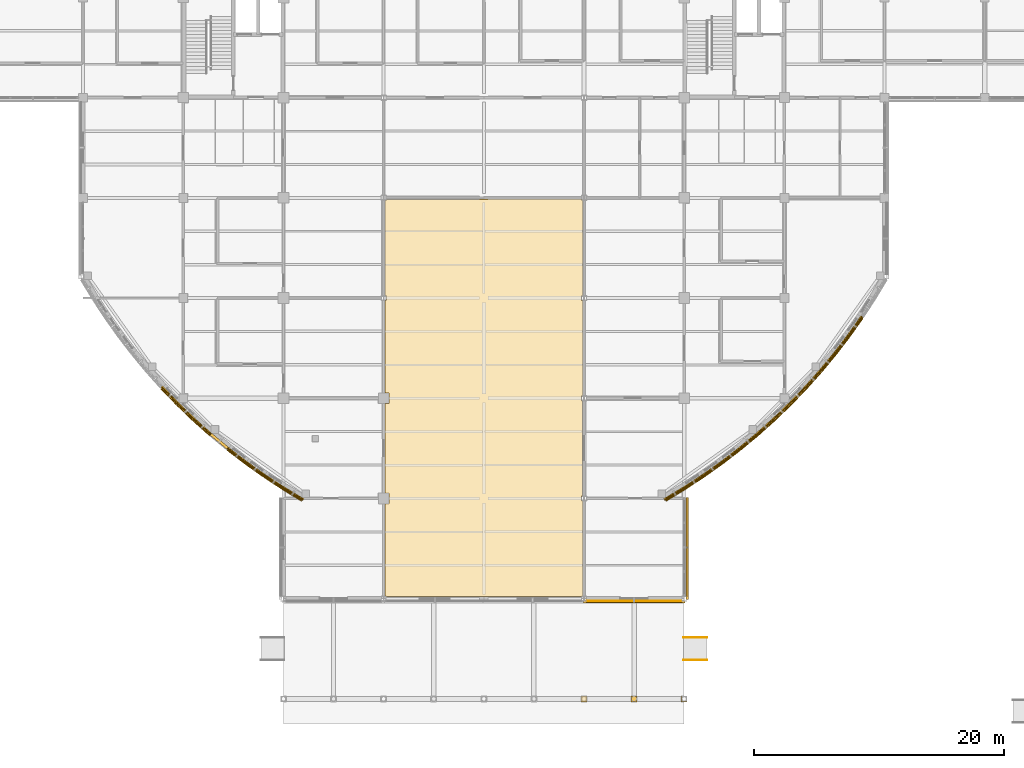
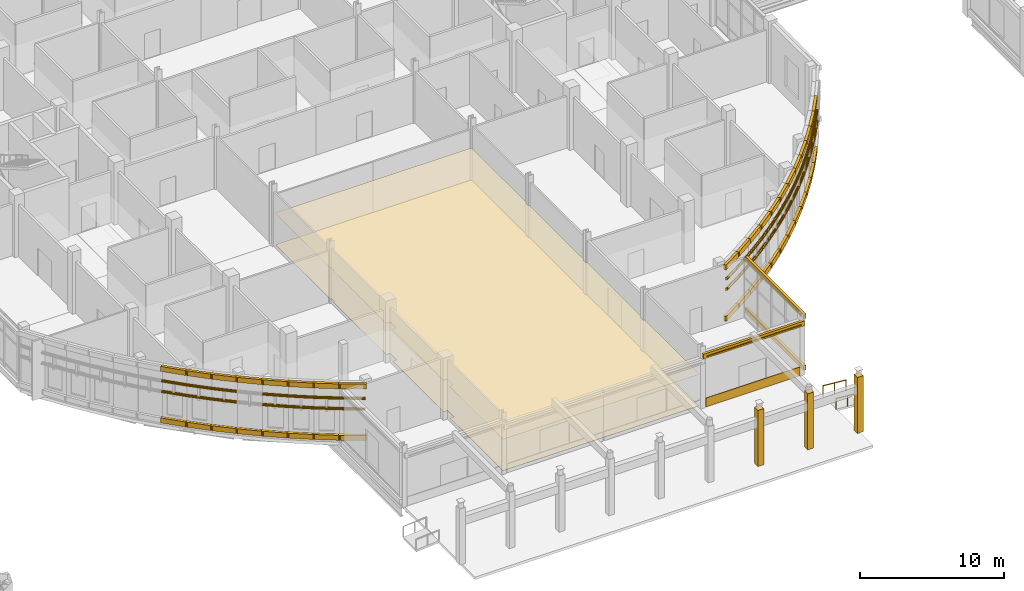
# One storey, part 96 of 105: 49 coverings, 40 shading devices, 2 railings.
"""IFC4 building model written with IfcOpenShell, lengths in metres."""

from ifc_helpers import new_model, si_unit, derived_unit, direction, frame, origin, origin_2d, place, context, subcontext, project, spatial, polyline, rectangle, circle, outline, extrude, material, layer, layer_set, material_profile, profile_set, type_object, element, save


model = new_model("IFC4")

# Units and contexts
model_context = context("Model", 3, precision=1e-05, world=origin(), true_north=direction((0.0, 1.0)))
body_context = subcontext(model_context, "Body", "Model", "MODEL_VIEW")
ifc_project = project(units=[si_unit("LENGTHUNIT", "METRE"), si_unit("AREAUNIT", "SQUARE_METRE"), si_unit("VOLUMEUNIT", "CUBIC_METRE"), si_unit("PLANEANGLEUNIT", "RADIAN"), si_unit("MASSUNIT", "GRAM", prefix="KILO"), derived_unit("THERMALTRANSMITTANCEUNIT", [(si_unit("MASSUNIT", "GRAM", prefix="KILO"), 1), (si_unit("TIMEUNIT", "SECOND"), -3), (si_unit("THERMODYNAMICTEMPERATUREUNIT", "KELVIN"), -1)])], contexts=[model_context])

# Site, building, storey
site_placement = place(None, origin())
site = spatial("IfcSite", under=ifc_project, at=site_placement, CompositionType="ELEMENT")
building_placement = place(site_placement, origin())
building = spatial("IfcBuilding", under=site, at=building_placement, Name="Veyamyaing Civic Hall", CompositionType="ELEMENT")
storey_placement = place(building_placement, origin())
storey = spatial("IfcBuildingStorey", under=building, at=storey_placement, Name="L00", CompositionType="ELEMENT", Elevation=0.0)

# Coverings
ifc_material_1 = material(Name="Buff sandstone ashlar cladding", Category="masonry")
ifc_layer_1 = layer(ifc_material_1, 0.050048828125, Name="Buff sandstone ashlar cladding")
ifc_layer_set_1 = layer_set([ifc_layer_1], Name="Buff sandstone ashlar cladding")
covering_type_1 = type_object("IfcCoveringType", Name="CL-01", PredefinedType="CLADDING", material=ifc_layer_set_1)
covering_1_placement = place(storey_placement, frame((100.0, 7.826416015625, 0.044921875), z_axis=(0.0, 0.0, 1.0), x_axis=(1.0, 0.0, 0.0)))
element("IfcCovering", 1, at=covering_1_placement, inside=storey, type_object=covering_type_1, Name="Facade spandrel cladding CL-01 L00 S 13.2", PredefinedType="CLADDING", context=body_context, shape_type="SweptSolid", body=[
    extrude(rectangle(XDim=7.552001953125, YDim=0.050048828125, at=origin_2d()), origin(), (0.0, 0.0, 1.0), 0.75),
])
ifc_material_2 = material(Name="White powder-coated aluminium 6063-T6", Category="aluminium")
ifc_layer_2 = layer(ifc_material_2, 0.2099609375, Name="White powder-coated aluminium 6063-T6")
ifc_layer_set_2 = layer_set([ifc_layer_2], Name="White powder-coated aluminium 6063-T6")
covering_type_2 = type_object("IfcCoveringType", Name="CL-03", PredefinedType="CLADDING", material=ifc_layer_set_2)
for number, where, z_axis, x_axis, name in (
    (2, (62.94775390625, 24.218994140625, 0.27001953125), (0.0, 0.0, 1.0), (0.693760978012, -0.720205321688, 0.0), "Continuous white corner ribbon CL-03 L00 SW.7.1"),
    (3, (62.94775390625, 24.218994140625, 4.64501953125), (0.0, 0.0, 1.0), (0.693760978012, -0.720205321688, 0.0), "Continuous white corner ribbon CL-03 L00 SW.7.2"),
    (4, (64.218994140625, 22.94775390625, 0.27001953125), (0.0, 0.0, 1.0), (0.720205321688, -0.693760978012, 0.0), "Continuous white corner ribbon CL-03 L00 SW.8.1"),
    (5, (64.218994140625, 22.94775390625, 4.64501953125), (0.0, 0.0, 1.0), (0.720205321688, -0.693760978012, 0.0), "Continuous white corner ribbon CL-03 L00 SW.8.2"),
    (6, (65.536865234375, 21.72509765625, 0.27001953125), (0.0, 0.0, 1.0), (0.745642208225, -0.666346529453, 0.0), "Continuous white corner ribbon CL-03 L00 SW.9.1"),
    (7, (65.536865234375, 21.72509765625, 4.64501953125), (0.0, 0.0, 1.0), (0.745642208225, -0.666346529453, 0.0), "Continuous white corner ribbon CL-03 L00 SW.9.2"),
    (8, (66.8994140625, 20.55224609375, 0.27001953125), (0.0, 0.0, 1.0), (0.770036026853, -0.638000405445, 0.0), "Continuous white corner ribbon CL-03 L00 SW.10.1"),
    (9, (66.8994140625, 20.55224609375, 4.64501953125), (0.0, 0.0, 1.0), (0.770036026853, -0.638000405445, 0.0), "Continuous white corner ribbon CL-03 L00 SW.10.2"),
    (10, (68.30517578125, 19.431396484375, 0.27001953125), (0.0, 0.0, 1.0), (0.793353292936, -0.608761490723, 0.0), "Continuous white corner ribbon CL-03 L00 SW.11.1"),
    (11, (68.30517578125, 19.431396484375, 4.64501953125), (0.0, 0.0, 1.0), (0.793353292936, -0.608761490723, 0.0), "Continuous white corner ribbon CL-03 L00 SW.11.2"),
    (12, (69.751708984375, 18.364013671875, 0.27001953125), (0.0, 0.0, 1.0), (0.815560964241, -0.578671161892, 0.0), "Continuous white corner ribbon CL-03 L00 SW.12.1"),
    (13, (69.751708984375, 18.364013671875, 4.64501953125), (0.0, 0.0, 1.0), (0.815560964241, -0.578671161892, 0.0), "Continuous white corner ribbon CL-03 L00 SW.12.2"),
    (14, (71.23681640625, 17.351318359375, 0.27001953125), (0.0, 0.0, 1.0), (0.836627843942, -0.547771714075, 0.0), "Continuous white corner ribbon CL-03 L00 SW.13.1"),
    (15, (71.23681640625, 17.351318359375, 4.64501953125), (0.0, 0.0, 1.0), (0.836627843942, -0.547771714075, 0.0), "Continuous white corner ribbon CL-03 L00 SW.13.2"),
    (16, (72.75927734375, 16.394775390625, 0.27001953125), (0.0, 0.0, 1.0), (0.856524411006, -0.516106513571, 0.0), "Continuous white corner ribbon CL-03 L00 SW.14.1"),
    (17, (72.75927734375, 16.394775390625, 4.64501953125), (0.0, 0.0, 1.0), (0.856524411006, -0.516106513571, 0.0), "Continuous white corner ribbon CL-03 L00 SW.14.2"),
    (18, (103.24072265625, 16.394775390625, 0.27001953125), (0.0, 0.0, 1.0), (0.856524411006, 0.516106513571, 0.0), "Continuous white corner ribbon CL-03 L00 SE.1.1"),
    (19, (103.24072265625, 16.394775390625, 4.64501953125), (0.0, 0.0, 1.0), (0.856524411006, 0.516106513571, 0.0), "Continuous white corner ribbon CL-03 L00 SE.1.2"),
    (20, (104.76318359375, 17.351318359375, 0.27001953125), (0.0, 0.0, 1.0), (0.836627843942, 0.547771714075, 0.0), "Continuous white corner ribbon CL-03 L00 SE.2.1"),
    (21, (104.76318359375, 17.351318359375, 4.64501953125), (0.0, 0.0, 1.0), (0.836627843942, 0.547771714075, 0.0), "Continuous white corner ribbon CL-03 L00 SE.2.2"),
    (22, (106.248291015625, 18.364013671875, 0.27001953125), (0.0, 0.0, 1.0), (0.815560964241, 0.578671161892, 0.0), "Continuous white corner ribbon CL-03 L00 SE.3.1"),
    (23, (106.248291015625, 18.364013671875, 4.64501953125), (0.0, 0.0, 1.0), (0.815560964241, 0.578671161892, 0.0), "Continuous white corner ribbon CL-03 L00 SE.3.2"),
    (24, (107.69482421875, 19.431396484375, 0.27001953125), (0.0, 0.0, 1.0), (0.793353292936, 0.608761490723, 0.0), "Continuous white corner ribbon CL-03 L00 SE.4.1"),
    (25, (107.69482421875, 19.431396484375, 4.64501953125), (0.0, 0.0, 1.0), (0.793353292936, 0.608761490723, 0.0), "Continuous white corner ribbon CL-03 L00 SE.4.2"),
    (26, (109.1005859375, 20.55224609375, 0.27001953125), (0.0, 0.0, 1.0), (0.770036026853, 0.638000405445, 0.0), "Continuous white corner ribbon CL-03 L00 SE.5.1"),
    (27, (109.1005859375, 20.55224609375, 4.64501953125), (0.0, 0.0, 1.0), (0.770036026853, 0.638000405445, 0.0), "Continuous white corner ribbon CL-03 L00 SE.5.2"),
    (28, (110.463134765625, 21.72509765625, 0.27001953125), (0.0, 0.0, 1.0), (0.745642208225, 0.666346529453, 0.0), "Continuous white corner ribbon CL-03 L00 SE.6.1"),
    (29, (110.463134765625, 21.72509765625, 4.64501953125), (0.0, 0.0, 1.0), (0.745642208225, 0.666346529453, 0.0), "Continuous white corner ribbon CL-03 L00 SE.6.2"),
    (30, (111.781005859375, 22.94775390625, 0.27001953125), (0.0, 0.0, 1.0), (0.720205321688, 0.693760978012, 0.0), "Continuous white corner ribbon CL-03 L00 SE.7.1"),
    (31, (111.781005859375, 22.94775390625, 4.64501953125), (0.0, 0.0, 1.0), (0.720205321688, 0.693760978012, 0.0), "Continuous white corner ribbon CL-03 L00 SE.7.2"),
    (32, (113.05224609375, 24.218994140625, 0.27001953125), (0.0, 0.0, 1.0), (0.693760978012, 0.720205321688, 0.0), "Continuous white corner ribbon CL-03 L00 SE.8.1"),
    (33, (113.05224609375, 24.218994140625, 4.64501953125), (0.0, 0.0, 1.0), (0.693760978012, 0.720205321688, 0.0), "Continuous white corner ribbon CL-03 L00 SE.8.2"),
    (34, (114.27490234375, 25.536865234375, 0.27001953125), (0.0, 0.0, 1.0), (0.666346529453, 0.745642208225, 0.0), "Continuous white corner ribbon CL-03 L00 SE.9.1"),
    (35, (114.27490234375, 25.536865234375, 4.64501953125), (0.0, 0.0, 1.0), (0.666346529453, 0.745642208225, 0.0), "Continuous white corner ribbon CL-03 L00 SE.9.2"),
    (36, (115.44775390625, 26.8994140625, 0.27001953125), (0.0, 0.0, 1.0), (0.638000405445, 0.770036026853, 0.0), "Continuous white corner ribbon CL-03 L00 SE.10.1"),
    (37, (115.44775390625, 26.8994140625, 4.64501953125), (0.0, 0.0, 1.0), (0.638000405445, 0.770036026853, 0.0), "Continuous white corner ribbon CL-03 L00 SE.10.2"),
    (38, (116.568603515625, 28.30517578125, 0.27001953125), (0.0, 0.0, 1.0), (0.608761490723, 0.793353292936, 0.0), "Continuous white corner ribbon CL-03 L00 SE.11.1"),
    (39, (116.568603515625, 28.30517578125, 4.64501953125), (0.0, 0.0, 1.0), (0.608761490723, 0.793353292936, 0.0), "Continuous white corner ribbon CL-03 L00 SE.11.2"),
    (40, (117.635986328125, 29.751708984375, 0.27001953125), (0.0, 0.0, 1.0), (0.578671161892, 0.815560964241, 0.0), "Continuous white corner ribbon CL-03 L00 SE.12.1"),
    (41, (117.635986328125, 29.751708984375, 4.64501953125), (0.0, 0.0, 1.0), (0.578671161892, 0.815560964241, 0.0), "Continuous white corner ribbon CL-03 L00 SE.12.2"),
):
    element("IfcCovering", number, at=place(storey_placement, frame(where, z_axis=z_axis, x_axis=x_axis)), inside=storey, type_object=covering_type_2, Name=name, PredefinedType="CLADDING", context=body_context, shape_type="SweptSolid", body=[
        extrude(rectangle(XDim=1.93505859375, YDim=0.2099609375, at=origin_2d()), origin(), (0.0, 0.0, 1.0), 0.419921875),
    ])
for number, where, z_axis, x_axis, name in (
    (42, (100.0, 7.760009765625, 4.299072265625), (0.0, 0.0, 1.0), (1.0, 0.0, 0.0), "Continuous white head fascia ribbon CL-03 L00 S 13.2"),
    (43, (104.239990234375, 12.0, 4.655029296875), (0.0, 0.0, 1.0), (0.0, 1.0, 0.0), "Continuous white head fascia ribbon CL-03 L00 E 13.2"),
    (44, (104.239990234375, 12.0, 0.280029296875), (0.0, 0.0, 1.0), (0.0, 1.0, 0.0), "Continuous white sill fascia ribbon CL-03 L00 E 13.2"),
):
    element("IfcCovering", number, at=place(storey_placement, frame(where, z_axis=z_axis, x_axis=x_axis)), inside=storey, type_object=covering_type_2, Name=name, PredefinedType="CLADDING", context=body_context, shape_type="SweptSolid", body=[
        extrude(rectangle(XDim=8.1201171875, YDim=0.2099609375, at=origin_2d()), origin(), (0.0, 0.0, 1.0), 0.39990234375),
    ])
for number, where, z_axis, x_axis, name in (
    (45, (96.0, 0.0, 0.02001953125), (0.0, 0.0, 1.0), (1.0, 0.0, 0.0), "Slender white portal colonnade column casing CL-03 7"),
    (46, (100.0, 0.0, 0.02001953125), (0.0, 0.0, 1.0), (1.0, 0.0, 0.0), "Slender white portal colonnade column casing CL-03 8"),
    (47, (104.0, 0.0, 0.02001953125), (0.0, 0.0, 1.0), (1.0, 0.0, 0.0), "Slender white portal colonnade column casing CL-03 9"),
):
    element("IfcCovering", number, at=place(storey_placement, frame(where, z_axis=z_axis, x_axis=x_axis)), inside=storey, type_object=covering_type_2, Name=name, PredefinedType="CLADDING", context=body_context, shape_type="SweptSolid", body=[
        extrude(rectangle(XDim=0.47998046875, YDim=0.47998046875, at=origin_2d()), origin(), (0.0, 0.0, 1.0), 4.760009765625),
    ])
ifc_material_3 = material(Name="Perforated acoustic gypsum ceiling board")
ifc_layer_3 = layer(ifc_material_3, 0.02490234375, Name="Perforated acoustic gypsum ceiling board")
ifc_layer_set_3 = layer_set([ifc_layer_3], Name="Perforated acoustic gypsum ceiling board")
covering_type_3 = type_object("IfcCoveringType", Name="CLG-01", PredefinedType="CEILING", material=ifc_layer_set_3)
covering_2_placement = place(storey_placement, frame((0.0, 0.0, 2.699951171875)))
element("IfcCovering", 48, at=covering_2_placement, inside=storey, type_object=covering_type_3, Name="Acoustic suspended ceiling CLG-01 L00-H03", PredefinedType="CEILING", context=body_context, shape_type="SweptSolid", body=[
    extrude(outline(polyline([(80.18408203125, 8.178466796875), (80.094970703125, 8.178466796875), (80.094970703125, 15.590087890625), (80.409912109375, 15.590087890625), (80.409912109375, 16.409912109375), (80.094970703125, 16.409912109375), (80.094970703125, 23.590087890625), (80.409912109375, 23.590087890625), (80.409912109375, 24.409912109375), (80.094970703125, 24.409912109375), (80.094970703125, 31.821533203125), (80.18408203125, 31.821533203125), (80.18408203125, 32.178466796875), (80.094970703125, 32.178466796875), (80.094970703125, 39.821533203125), (80.18408203125, 39.821533203125), (80.18408203125, 39.905029296875), (95.81591796875, 39.905029296875), (95.81591796875, 39.821533203125), (95.905029296875, 39.821533203125), (95.905029296875, 32.178466796875), (95.81591796875, 32.178466796875), (95.81591796875, 31.821533203125), (95.905029296875, 31.821533203125), (95.905029296875, 24.178466796875), (95.81591796875, 24.178466796875), (95.81591796875, 23.821533203125), (95.905029296875, 23.821533203125), (95.905029296875, 16.178466796875), (95.81591796875, 16.178466796875), (95.81591796875, 15.821533203125), (95.905029296875, 15.821533203125), (95.905029296875, 8.178466796875), (95.81591796875, 8.178466796875), (95.81591796875, 8.155029296875), (80.18408203125, 8.155029296875), (80.18408203125, 8.178466796875)])), origin(), (0.0, 0.0, 1.0), 0.025146484375),
])
ifc_material_4 = material(Name="Polished Mandalay marble and terrazzo flooring", Category="masonry")
ifc_layer_4 = layer(ifc_material_4, 0.030029296875, Name="Polished Mandalay marble and terrazzo flooring")
ifc_layer_set_4 = layer_set([ifc_layer_4], Name="Polished Mandalay marble and terrazzo flooring")
covering_type_4 = type_object("IfcCoveringType", Name="FLR-01", PredefinedType="FLOORING", material=ifc_layer_set_4)
covering_3_placement = place(storey_placement, origin())
element("IfcCovering", 49, at=covering_3_placement, inside=storey, type_object=covering_type_4, Name="Stone and terrazzo flooring FLR-01 L00-H03", PredefinedType="FLOORING", context=body_context, shape_type="SweptSolid", body=[
    extrude(outline(polyline([(95.791015625, 31.79638671875), (95.8798828125, 31.79638671875), (95.8798828125, 24.20361328125), (95.791015625, 24.20361328125), (95.791015625, 23.79638671875), (95.8798828125, 23.79638671875), (95.8798828125, 16.20361328125), (95.791015625, 16.20361328125), (95.791015625, 15.79638671875), (95.8798828125, 15.79638671875), (95.8798828125, 8.20361328125), (95.791015625, 8.20361328125), (95.791015625, 8.179931640625), (80.208984375, 8.179931640625), (80.208984375, 8.20361328125), (80.1201171875, 8.20361328125), (80.1201171875, 15.56494140625), (80.43505859375, 15.56494140625), (80.43505859375, 16.43505859375), (80.1201171875, 16.43505859375), (80.1201171875, 23.56494140625), (80.43505859375, 23.56494140625), (80.43505859375, 24.43505859375), (80.1201171875, 24.43505859375), (80.1201171875, 31.79638671875), (80.208984375, 31.79638671875), (80.208984375, 32.20361328125), (80.1201171875, 32.20361328125), (80.1201171875, 39.79638671875), (80.208984375, 39.79638671875), (80.208984375, 39.8798828125), (95.791015625, 39.8798828125), (95.791015625, 39.79638671875), (95.8798828125, 39.79638671875), (95.8798828125, 32.20361328125), (95.791015625, 32.20361328125), (95.791015625, 31.79638671875)])), origin(), (0.0, 0.0, 1.0), 0.030029296875),
])

# Railings
ifc_material_5 = material(Name="Steel S355J2", Category="steel")
railing_type = type_object("IfcRailingType", Name="RL-02", PredefinedType="HANDRAIL", material=ifc_material_5)
for number, where, name in (
    (50, (105.800048828125, 4.89990234375, -0.14990234375), "Accessible ramp handrail RMP-PSE.1"),
    (51, (105.800048828125, 3.10009765625, -0.14990234375), "Accessible ramp handrail RMP-PSE.2"),
):
    element("IfcRailing", number, at=place(storey_placement, frame(where)), inside=storey, type_object=railing_type, Name=name, PredefinedType="HANDRAIL", context=body_context, shape_type="SweptSolid", body=[
        extrude(circle(Radius=0.02392578125, at=origin_2d()), frame((0.0, 0.0, 0.89599609375), z_axis=(-0.996733628106, 0.0, 0.08075936232), x_axis=(0.0, -1.0, 0.0)), (0.0, 0.0, 1.0), 1.856201171875),
        extrude(circle(Radius=0.02099609375, at=origin_2d()), origin(), (0.0, 0.0, 1.0), 0.871826171875),
        extrude(circle(Radius=0.02099609375, at=origin_2d()), frame((-0.925048828125, 0.0, 0.074951171875)), (0.0, 0.0, 1.0), 0.871826171875),
        extrude(circle(Radius=0.02099609375, at=origin_2d()), frame((-1.85009765625, 0.0, 0.14990234375)), (0.0, 0.0, 1.0), 0.871826171875),
    ])

# Shading devices
ifc_material_profile = material_profile(ifc_material_2, circle(Radius=0.110107421875, at=origin_2d()), Name="SHADE-TUBE-220")
ifc_profile_set = profile_set([ifc_material_profile], Name="White powder-coated aluminium 6063-T6")
shading_device_type = type_object("IfcShadingDeviceType", Name="SH-01", PredefinedType="USERDEFINED", material=ifc_profile_set)
for number, where, z_axis, x_axis, name in (
    (52, (62.267578125, 24.809814453125, 2.949951171875), (0.693790654785, -0.720176733402, 0.0), (0.720176733402, 0.693790654785, 0.0), "White corner sunshade ribbon SH-01 L00 SW.7.1"),
    (53, (62.267578125, 24.809814453125, 3.85009765625), (0.693790654785, -0.720176733402, 0.0), (0.720176733402, 0.693790654785, 0.0), "White corner sunshade ribbon SH-01 L00 SW.7.2"),
    (54, (63.51708984375, 23.512939453125, 2.949951171875), (0.720176733402, -0.693790654785, 0.0), (0.693790654785, 0.720176733402, 0.0), "White corner sunshade ribbon SH-01 L00 SW.8.1"),
    (55, (63.51708984375, 23.512939453125, 3.85009765625), (0.720176733402, -0.693790654785, 0.0), (0.693790654785, 0.720176733402, 0.0), "White corner sunshade ribbon SH-01 L00 SW.8.2"),
):
    element("IfcShadingDevice", number, at=place(storey_placement, frame(where, z_axis=z_axis, x_axis=x_axis)), inside=storey, type_object=shading_device_type, Name=name, ObjectType="SUNSHADE", PredefinedType="USERDEFINED", context=body_context, shape_type="SweptSolid", body=[
        extrude(circle(Radius=0.110107421875, at=origin_2d()), origin(), (0.0, 0.0, 1.0), 1.794921875),
    ])
for number, where, z_axis, x_axis, name in (
    (56, (64.814208984375, 22.263427734375, 2.949951171875), (0.745703543965, -0.666277888361, 0.0), (0.666277888361, 0.745703543965, 0.0), "White corner sunshade ribbon SH-01 L00 SW.9.1"),
    (57, (64.814208984375, 22.263427734375, 3.85009765625), (0.745703543965, -0.666277888361, 0.0), (0.666277888361, 0.745703543965, 0.0), "White corner sunshade ribbon SH-01 L00 SW.9.2"),
    (58, (67.544189453125, 19.914306640625, 2.949951171875), (0.79339180423, -0.608711298549, 0.0), (0.608711298549, 0.79339180423, 0.0), "White corner sunshade ribbon SH-01 L00 SW.11.1"),
    (59, (67.544189453125, 19.914306640625, 3.85009765625), (0.79339180423, -0.608711298549, 0.0), (0.608711298549, 0.79339180423, 0.0), "White corner sunshade ribbon SH-01 L00 SW.11.2"),
):
    element("IfcShadingDevice", number, at=place(storey_placement, frame(where, z_axis=z_axis, x_axis=x_axis)), inside=storey, type_object=shading_device_type, Name=name, ObjectType="SUNSHADE", PredefinedType="USERDEFINED", context=body_context, shape_type="SweptSolid", body=[
        extrude(circle(Radius=0.110107421875, at=origin_2d()), origin(), (0.0, 0.0, 1.0), 1.795166015625),
    ])
for number, where, z_axis, x_axis, name in (
    (60, (68.973388671875, 18.818115234375, 2.949951171875), (0.815521639764, -0.578726580586, 0.0), (0.578726580586, 0.815521639764, 0.0), "White corner sunshade ribbon SH-01 L00 SW.12.1"),
    (61, (68.973388671875, 18.818115234375, 3.85009765625), (0.815521639764, -0.578726580586, 0.0), (0.578726580586, 0.815521639764, 0.0), "White corner sunshade ribbon SH-01 L00 SW.12.2"),
):
    element("IfcShadingDevice", number, at=place(storey_placement, frame(where, z_axis=z_axis, x_axis=x_axis)), inside=storey, type_object=shading_device_type, Name=name, ObjectType="SUNSHADE", PredefinedType="USERDEFINED", context=body_context, shape_type="SweptSolid", body=[
        extrude(circle(Radius=0.110107421875, at=origin_2d()), origin(), (0.0, 0.0, 1.0), 1.794921875),
    ])
for number, where, z_axis, x_axis, name in (
    (62, (70.442138671875, 17.77587890625, 2.949951171875), (0.836624464161, -0.547776876079, 0.0), (0.547776876079, 0.836624464161, 0.0), "White corner sunshade ribbon SH-01 L00 SW.13.1"),
    (63, (70.442138671875, 17.77587890625, 3.85009765625), (0.836624464161, -0.547776876079, 0.0), (0.547776876079, 0.836624464161, 0.0), "White corner sunshade ribbon SH-01 L00 SW.13.2"),
):
    element("IfcShadingDevice", number, at=place(storey_placement, frame(where, z_axis=z_axis, x_axis=x_axis)), inside=storey, type_object=shading_device_type, Name=name, ObjectType="SUNSHADE", PredefinedType="USERDEFINED", context=body_context, shape_type="SweptSolid", body=[
        extrude(circle(Radius=0.110107421875, at=origin_2d()), origin(), (0.0, 0.0, 1.0), 1.795166015625),
    ])
for number, where, z_axis, x_axis, name in (
    (64, (71.94921875, 16.789306640625, 2.949951171875), (0.856543302071, -0.51607516088, 0.0), (0.51607516088, 0.856543302071, 0.0), "White corner sunshade ribbon SH-01 L00 SW.14.1"),
    (65, (71.94921875, 16.789306640625, 3.85009765625), (0.856543302071, -0.51607516088, 0.0), (0.51607516088, 0.856543302071, 0.0), "White corner sunshade ribbon SH-01 L00 SW.14.2"),
    (66, (102.513427734375, 15.863037109375, 2.949951171875), (0.856543302071, 0.51607516088, 0.0), (-0.51607516088, 0.856543302071, 0.0), "White corner sunshade ribbon SH-01 L00 SE.1.1"),
    (67, (102.513427734375, 15.863037109375, 3.85009765625), (0.856543302071, 0.51607516088, 0.0), (-0.51607516088, 0.856543302071, 0.0), "White corner sunshade ribbon SH-01 L00 SE.1.2"),
):
    element("IfcShadingDevice", number, at=place(storey_placement, frame(where, z_axis=z_axis, x_axis=x_axis)), inside=storey, type_object=shading_device_type, Name=name, ObjectType="SUNSHADE", PredefinedType="USERDEFINED", context=body_context, shape_type="SweptSolid", body=[
        extrude(circle(Radius=0.110107421875, at=origin_2d()), origin(), (0.0, 0.0, 1.0), 1.794921875),
    ])
for number, where, z_axis, x_axis, name in (
    (68, (104.055908203125, 16.79248046875, 2.949951171875), (0.836624464161, 0.547776876079, 0.0), (-0.547776876079, 0.836624464161, 0.0), "White corner sunshade ribbon SH-01 L00 SE.2.1"),
    (69, (104.055908203125, 16.79248046875, 3.85009765625), (0.836624464161, 0.547776876079, 0.0), (-0.547776876079, 0.836624464161, 0.0), "White corner sunshade ribbon SH-01 L00 SE.2.2"),
):
    element("IfcShadingDevice", number, at=place(storey_placement, frame(where, z_axis=z_axis, x_axis=x_axis)), inside=storey, type_object=shading_device_type, Name=name, ObjectType="SUNSHADE", PredefinedType="USERDEFINED", context=body_context, shape_type="SweptSolid", body=[
        extrude(circle(Radius=0.110107421875, at=origin_2d()), origin(), (0.0, 0.0, 1.0), 1.795166015625),
    ])
for number, where, z_axis, x_axis, name in (
    (70, (105.562744140625, 17.779296875, 2.949951171875), (0.815521639764, 0.578726580586, 0.0), (-0.578726580586, 0.815521639764, 0.0), "White corner sunshade ribbon SH-01 L00 SE.3.1"),
    (71, (105.562744140625, 17.779296875, 3.85009765625), (0.815521639764, 0.578726580586, 0.0), (-0.578726580586, 0.815521639764, 0.0), "White corner sunshade ribbon SH-01 L00 SE.3.2"),
):
    element("IfcShadingDevice", number, at=place(storey_placement, frame(where, z_axis=z_axis, x_axis=x_axis)), inside=storey, type_object=shading_device_type, Name=name, ObjectType="SUNSHADE", PredefinedType="USERDEFINED", context=body_context, shape_type="SweptSolid", body=[
        extrude(circle(Radius=0.110107421875, at=origin_2d()), origin(), (0.0, 0.0, 1.0), 1.794921875),
    ])
for number, where, z_axis, x_axis, name in (
    (72, (107.031494140625, 18.821533203125, 2.949951171875), (0.79339180423, 0.608711298549, 0.0), (-0.608711298549, 0.79339180423, 0.0), "White corner sunshade ribbon SH-01 L00 SE.4.1"),
    (73, (107.031494140625, 18.821533203125, 3.85009765625), (0.79339180423, 0.608711298549, 0.0), (-0.608711298549, 0.79339180423, 0.0), "White corner sunshade ribbon SH-01 L00 SE.4.2"),
    (74, (108.46044921875, 19.918212890625, 2.949951171875), (0.770046377824, 0.637987912111, 0.0), (-0.637987912111, 0.770046377824, 0.0), "White corner sunshade ribbon SH-01 L00 SE.5.1"),
    (75, (108.46044921875, 19.918212890625, 3.85009765625), (0.770046377824, 0.637987912111, 0.0), (-0.637987912111, 0.770046377824, 0.0), "White corner sunshade ribbon SH-01 L00 SE.5.2"),
    (76, (109.84716796875, 21.0673828125, 2.949951171875), (0.745703543965, 0.666277888361, 0.0), (-0.666277888361, 0.745703543965, 0.0), "White corner sunshade ribbon SH-01 L00 SE.6.1"),
    (77, (109.84716796875, 21.0673828125, 3.85009765625), (0.745703543965, 0.666277888361, 0.0), (-0.666277888361, 0.745703543965, 0.0), "White corner sunshade ribbon SH-01 L00 SE.6.2"),
):
    element("IfcShadingDevice", number, at=place(storey_placement, frame(where, z_axis=z_axis, x_axis=x_axis)), inside=storey, type_object=shading_device_type, Name=name, ObjectType="SUNSHADE", PredefinedType="USERDEFINED", context=body_context, shape_type="SweptSolid", body=[
        extrude(circle(Radius=0.110107421875, at=origin_2d()), origin(), (0.0, 0.0, 1.0), 1.795166015625),
    ])
for number, where, z_axis, x_axis, name in (
    (78, (111.190185546875, 22.267578125, 2.949951171875), (0.720176733402, 0.693790654785, 0.0), (-0.693790654785, 0.720176733402, 0.0), "White corner sunshade ribbon SH-01 L00 SE.7.1"),
    (79, (111.190185546875, 22.267578125, 3.85009765625), (0.720176733402, 0.693790654785, 0.0), (-0.693790654785, 0.720176733402, 0.0), "White corner sunshade ribbon SH-01 L00 SE.7.2"),
    (80, (112.487060546875, 23.51708984375, 2.949951171875), (0.693790654785, 0.720176733402, 0.0), (-0.720176733402, 0.693790654785, 0.0), "White corner sunshade ribbon SH-01 L00 SE.8.1"),
    (81, (112.487060546875, 23.51708984375, 3.85009765625), (0.693790654785, 0.720176733402, 0.0), (-0.720176733402, 0.693790654785, 0.0), "White corner sunshade ribbon SH-01 L00 SE.8.2"),
):
    element("IfcShadingDevice", number, at=place(storey_placement, frame(where, z_axis=z_axis, x_axis=x_axis)), inside=storey, type_object=shading_device_type, Name=name, ObjectType="SUNSHADE", PredefinedType="USERDEFINED", context=body_context, shape_type="SweptSolid", body=[
        extrude(circle(Radius=0.110107421875, at=origin_2d()), origin(), (0.0, 0.0, 1.0), 1.794921875),
    ])
for number, where, z_axis, x_axis, name in (
    (82, (113.736572265625, 24.814208984375, 2.949951171875), (0.666277888361, 0.745703543965, 0.0), (-0.745703543965, 0.666277888361, 0.0), "White corner sunshade ribbon SH-01 L00 SE.9.1"),
    (83, (113.736572265625, 24.814208984375, 3.85009765625), (0.666277888361, 0.745703543965, 0.0), (-0.745703543965, 0.666277888361, 0.0), "White corner sunshade ribbon SH-01 L00 SE.9.2"),
    (84, (114.9365234375, 26.1572265625, 2.949951171875), (0.637987912111, 0.770046377824, 0.0), (-0.770046377824, 0.637987912111, 0.0), "White corner sunshade ribbon SH-01 L00 SE.10.1"),
    (85, (114.9365234375, 26.1572265625, 3.85009765625), (0.637987912111, 0.770046377824, 0.0), (-0.770046377824, 0.637987912111, 0.0), "White corner sunshade ribbon SH-01 L00 SE.10.2"),
    (86, (116.085693359375, 27.544189453125, 2.949951171875), (0.608711298549, 0.79339180423, 0.0), (-0.79339180423, 0.608711298549, 0.0), "White corner sunshade ribbon SH-01 L00 SE.11.1"),
    (87, (116.085693359375, 27.544189453125, 3.85009765625), (0.608711298549, 0.79339180423, 0.0), (-0.79339180423, 0.608711298549, 0.0), "White corner sunshade ribbon SH-01 L00 SE.11.2"),
):
    element("IfcShadingDevice", number, at=place(storey_placement, frame(where, z_axis=z_axis, x_axis=x_axis)), inside=storey, type_object=shading_device_type, Name=name, ObjectType="SUNSHADE", PredefinedType="USERDEFINED", context=body_context, shape_type="SweptSolid", body=[
        extrude(circle(Radius=0.110107421875, at=origin_2d()), origin(), (0.0, 0.0, 1.0), 1.795166015625),
    ])
for number, where, z_axis, x_axis, name in (
    (88, (117.181884765625, 28.973388671875, 2.949951171875), (0.578726580586, 0.815521639764, 0.0), (-0.815521639764, 0.578726580586, 0.0), "White corner sunshade ribbon SH-01 L00 SE.12.1"),
    (89, (117.181884765625, 28.973388671875, 3.85009765625), (0.578726580586, 0.815521639764, 0.0), (-0.815521639764, 0.578726580586, 0.0), "White corner sunshade ribbon SH-01 L00 SE.12.2"),
):
    element("IfcShadingDevice", number, at=place(storey_placement, frame(where, z_axis=z_axis, x_axis=x_axis)), inside=storey, type_object=shading_device_type, Name=name, ObjectType="SUNSHADE", PredefinedType="USERDEFINED", context=body_context, shape_type="SweptSolid", body=[
        extrude(circle(Radius=0.110107421875, at=origin_2d()), origin(), (0.0, 0.0, 1.0), 1.794921875),
    ])
shading_device_1_placement = place(storey_placement, frame((96.18408203125, 7.760009765625, 4.458984375), z_axis=(1.0, 0.0, 0.0), x_axis=(0.0, 1.0, 0.0)))
element("IfcShadingDevice", 90, at=shading_device_1_placement, inside=storey, type_object=shading_device_type, Name="Horizontal white sunshade ribbon SH-01 L00 S 13.2", ObjectType="SUNSHADE", PredefinedType="USERDEFINED", context=body_context, shape_type="SweptSolid", body=[
    extrude(circle(Radius=0.110107421875, at=origin_2d()), origin(), (0.0, 0.0, 1.0), 7.6318359375),
])
shading_device_2_placement = place(storey_placement, frame((104.239990234375, 8.178466796875, 4.81494140625), z_axis=(0.0, 1.0, 0.0), x_axis=(-1.0, 0.0, 0.0)))
element("IfcShadingDevice", 91, at=shading_device_2_placement, inside=storey, type_object=shading_device_type, Name="Horizontal white sunshade ribbon SH-01 L00 E 13.2", ObjectType="SUNSHADE", PredefinedType="USERDEFINED", context=body_context, shape_type="SweptSolid", body=[
    extrude(circle(Radius=0.110107421875, at=origin_2d()), origin(), (0.0, 0.0, 1.0), 7.821533203125),
])

save(model, "model.ifc")
